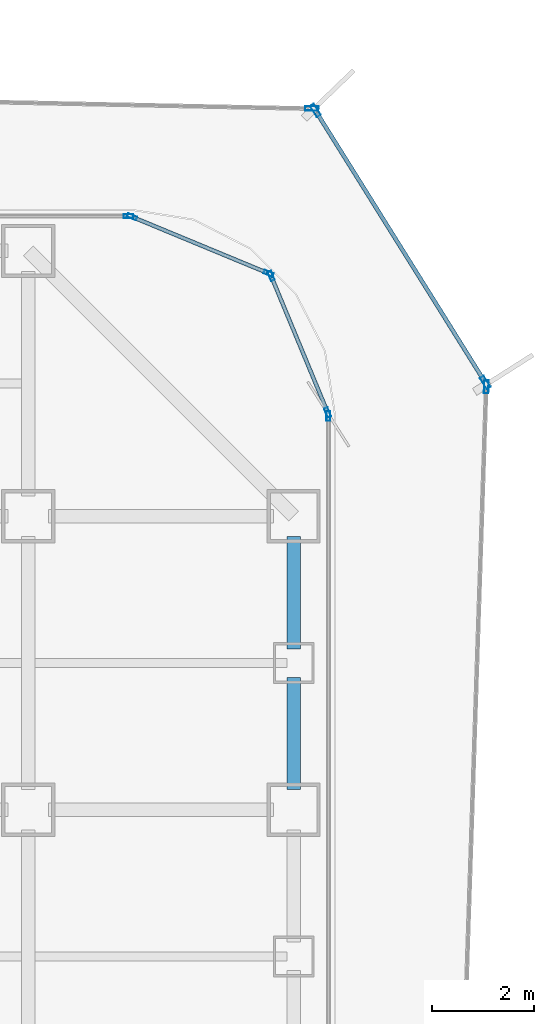
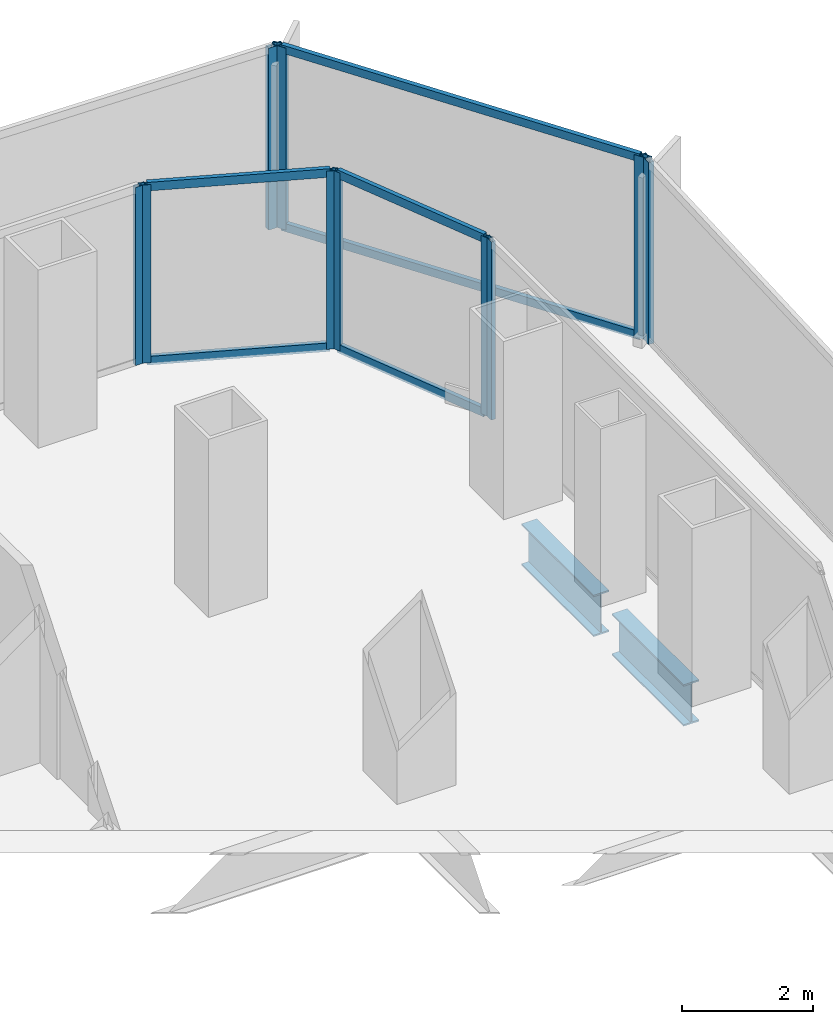
# One storey, part 15 of 21: 16 members, 2 beams, 7 elements without a shape of their own.
"""IFC4 building model written with IfcOpenShell, lengths in metres."""

from ifc_helpers import new_model, si_unit, direction, frame, origin, origin_2d, place, context, subcontext, project, spatial, hollow_rectangle, i_section, extrude, source, transform, mapped, material, layer, layer_set, material_profile, profile_set, type_object, element, aggregate, save


model = new_model("IFC4")

# Units and contexts
model_context = context("Model", 3, precision=1e-05, world=origin(), true_north=direction((0.0, 1.0)))
body_context = subcontext(model_context, "Body", "Model", "MODEL_VIEW")
ifc_project = project(units=[si_unit("LENGTHUNIT", "METRE"), si_unit("AREAUNIT", "SQUARE_METRE"), si_unit("VOLUMEUNIT", "CUBIC_METRE"), si_unit("PLANEANGLEUNIT", "RADIAN"), si_unit("MASSUNIT", "GRAM", prefix="KILO")], contexts=[model_context])

# Site, building, storey
site_placement = place(None, origin())
site = spatial("IfcSite", under=ifc_project, at=site_placement, CompositionType="ELEMENT")
building_placement = place(site_placement, origin())
building = spatial("IfcBuilding", under=site, at=building_placement, Name="Kolveth Station Tower", CompositionType="ELEMENT")
storey_placement = place(building_placement, frame((0.0, 0.0, 47.699951171875)))
storey = spatial("IfcBuildingStorey", under=building, at=storey_placement, Name="L12", CompositionType="ELEMENT", Elevation=47.699951171875)

# Beams
ifc_material_1 = material(Name="Steel S355", Category="steel")
ifc_material_profile_1 = material_profile(ifc_material_1, i_section(OverallWidth=0.26904296875, OverallDepth=0.77490234375, WebThickness=0.01708984375, FlangeThickness=0.0283203125, at=origin_2d()), Name="W760x220")
ifc_profile_set_1 = profile_set([ifc_material_profile_1], Name="Steel S355")
beam_type = type_object("IfcBeamType", Name="Beam_SP1", PredefinedType="SPANDREL", material=ifc_profile_set_1)
shared_shape_1 = source(origin(), body_context, "Body", "SweptSolid", [
    extrude(i_section(OverallWidth=0.26904296875, OverallDepth=0.77490234375, WebThickness=0.01708984375, FlangeThickness=0.0283203125, at=origin_2d()), origin(), (0.0, 0.0, 1.0), 2.2001953125),
])
beam_1_placement = place(storey_placement, frame((46.199951171875, 31.89990234375, -0.66748046875), z_axis=(0.0, 1.0, 0.0), x_axis=(-1.0, 0.0, 0.0)))
element("IfcBeam", 1, at=beam_1_placement, inside=storey, type_object=beam_type, Name="L12 Perimeter Spandrel BM-L12-PE-10", PredefinedType="SPANDREL", context=body_context, shape_type="MappedRepresentation", body=[
    mapped(shared_shape_1, transform((0.0, 0.0, 0.0), x_axis=(1.0, 0.0, 0.0), y_axis=(0.0, 1.0, 0.0), z_axis=(0.0, 0.0, 1.0), scale=1.0)),
])
shared_shape_2 = source(origin(), body_context, "Body", "SweptSolid", [
    extrude(i_section(OverallWidth=0.26904296875, OverallDepth=0.77490234375, WebThickness=0.01708984375, FlangeThickness=0.0283203125, at=origin_2d()), origin(), (0.0, 0.0, 1.0), 2.190185546875),
])
beam_2_placement = place(storey_placement, frame((46.199951171875, 29.14990234375, -0.66748046875), z_axis=(0.0, 1.0, 0.0), x_axis=(-1.0, 0.0, 0.0)))
element("IfcBeam", 2, at=beam_2_placement, inside=storey, type_object=beam_type, Name="L12 Perimeter Spandrel BM-L12-PE-9", PredefinedType="SPANDREL", context=body_context, shape_type="MappedRepresentation", body=[
    mapped(shared_shape_2, transform((0.0, 0.0, 0.0), x_axis=(1.0, 0.0, 0.0), y_axis=(0.0, 1.0, 0.0), z_axis=(0.0, 0.0, 1.0), scale=1.0)),
])

# Curtain wall, member
ifc_material_2 = material(Name="Aluminium 6063-T6 and low-E dark glass", Category="aluminium")
ifc_layer_1 = layer(ifc_material_2, 0.179931640625)
ifc_layer_set_1 = layer_set([ifc_layer_1], Name="Aluminium 6063-T6 and low-E dark glass")
curtain_wall_type_1 = type_object("IfcCurtainWallType", Name="CurtainWall_CW-Z1", PredefinedType="NOTDEFINED", material=ifc_layer_set_1)
curtain_wall_1_placement = place(storey_placement, origin())
curtain_wall_1 = element("IfcCurtainWall", 3, at=curtain_wall_1_placement, inside=storey, type_object=curtain_wall_type_1, Name="L12 Inner Thermal Curtain Wall 3", PredefinedType="NOTDEFINED")
ifc_material_3 = material(Name="Black anodized aluminium 6063-T6", Category="aluminium")
ifc_material_profile_2 = material_profile(ifc_material_3, hollow_rectangle(XDim=0.074951171875, YDim=0.18994140625, WallThickness=0.0048828125, at=origin_2d()), Name="ALU-75x190x5")
ifc_profile_set_2 = profile_set([ifc_material_profile_2], Name="Black anodized aluminium 6063-T6")
member_type_1 = type_object("IfcMemberType", Name="Mullion_ML1", PredefinedType="MULLION", material=ifc_profile_set_2)
shared_shape_3 = source(origin(), body_context, "Body", "SweptSolid", [
    extrude(hollow_rectangle(XDim=0.074951171875, YDim=0.18994140625, WallThickness=0.0048828125, at=origin_2d()), origin(), (0.0, 0.0, 1.0), 3.320068359375),
])
member_1_placement = place(storey_placement, frame((46.8798828125, 36.46240234375, 0.0), z_axis=(0.0, 0.0, 1.0), x_axis=(-1.0, 0.0, 0.0)))
member_1 = element("IfcMember", 4, at=member_1_placement, type_object=member_type_1, Name="CW-Z1 mullion 2", PredefinedType="MULLION", context=body_context, shape_type="MappedRepresentation", body=[
    mapped(shared_shape_3, transform((0.0, 0.0, 0.0), x_axis=(1.0, 0.0, 0.0), y_axis=(0.0, 1.0, 0.0), z_axis=(0.0, 0.0, 1.0), scale=1.0)),
])
aggregate(curtain_wall_1, [member_1])

# Curtain wall, members
curtain_wall_2_placement = place(storey_placement, origin())
curtain_wall_2 = element("IfcCurtainWall", 5, at=curtain_wall_2_placement, inside=storey, type_object=curtain_wall_type_1, Name="L12 Inner Thermal Curtain Wall 4", PredefinedType="NOTDEFINED")
member_2_placement = place(storey_placement, frame((46.86572265625, 36.53466796875, 0.0), z_axis=(0.0, 0.0, 1.0), x_axis=(-0.923883857728, -0.382672990201, 0.0)))
member_2 = element("IfcMember", 6, at=member_2_placement, type_object=member_type_1, Name="CW-Z1 mullion 1", PredefinedType="MULLION", context=body_context, shape_type="MappedRepresentation", body=[
    mapped(shared_shape_3, transform((0.0, 0.0, 0.0), x_axis=(1.0, 0.0, 0.0), y_axis=(0.0, 1.0, 0.0), z_axis=(0.0, 0.0, 1.0), scale=1.0)),
])
member_3_placement = place(storey_placement, frame((45.758056640625, 39.208984375, 0.0), z_axis=(0.0, 0.0, 1.0), x_axis=(-0.923883857728, -0.382672990201, 0.0)))
member_3 = element("IfcMember", 7, at=member_3_placement, type_object=member_type_1, Name="CW-Z1 mullion 2", PredefinedType="MULLION", context=body_context, shape_type="MappedRepresentation", body=[
    mapped(shared_shape_3, transform((0.0, 0.0, 0.0), x_axis=(1.0, 0.0, 0.0), y_axis=(0.0, 1.0, 0.0), z_axis=(0.0, 0.0, 1.0), scale=1.0)),
])

curtain_wall_3_placement = place(storey_placement, origin())
curtain_wall_3 = element("IfcCurtainWall", 8, at=curtain_wall_3_placement, inside=storey, type_object=curtain_wall_type_1, Name="L12 Inner Thermal Curtain Wall 5", PredefinedType="NOTDEFINED")
member_4_placement = place(storey_placement, frame((45.708984375, 39.258056640625, 0.0), z_axis=(0.0, 0.0, 1.0), x_axis=(-0.382672990201, -0.923883857728, 0.0)))
member_4 = element("IfcMember", 9, at=member_4_placement, type_object=member_type_1, Name="CW-Z1 mullion 1", PredefinedType="MULLION", context=body_context, shape_type="MappedRepresentation", body=[
    mapped(shared_shape_3, transform((0.0, 0.0, 0.0), x_axis=(1.0, 0.0, 0.0), y_axis=(0.0, 1.0, 0.0), z_axis=(0.0, 0.0, 1.0), scale=1.0)),
])
member_5_placement = place(storey_placement, frame((43.03466796875, 40.36572265625, 0.0), z_axis=(0.0, 0.0, 1.0), x_axis=(-0.382672990201, -0.923883857728, 0.0)))
member_5 = element("IfcMember", 10, at=member_5_placement, type_object=member_type_1, Name="CW-Z1 mullion 2", PredefinedType="MULLION", context=body_context, shape_type="MappedRepresentation", body=[
    mapped(shared_shape_3, transform((0.0, 0.0, 0.0), x_axis=(1.0, 0.0, 0.0), y_axis=(0.0, 1.0, 0.0), z_axis=(0.0, 0.0, 1.0), scale=1.0)),
])

# Curtain wall, member
curtain_wall_4_placement = place(storey_placement, origin())
curtain_wall_4 = element("IfcCurtainWall", 11, at=curtain_wall_4_placement, inside=storey, type_object=curtain_wall_type_1, Name="L12 Inner Thermal Curtain Wall 6", PredefinedType="NOTDEFINED")
member_6_placement = place(storey_placement, frame((42.96240234375, 40.3798828125, 0.0), z_axis=(0.0, 0.0, 1.0), x_axis=(0.0, -1.0, 0.0)))
member_6 = element("IfcMember", 12, at=member_6_placement, type_object=member_type_1, Name="CW-Z1 mullion 1", PredefinedType="MULLION", context=body_context, shape_type="MappedRepresentation", body=[
    mapped(shared_shape_3, transform((0.0, 0.0, 0.0), x_axis=(1.0, 0.0, 0.0), y_axis=(0.0, 1.0, 0.0), z_axis=(0.0, 0.0, 1.0), scale=1.0)),
])
aggregate(curtain_wall_4, [member_6])

# Member
ifc_material_profile_3 = material_profile(ifc_material_3, hollow_rectangle(XDim=0.074951171875, YDim=0.159912109375, WallThickness=0.0048828125, at=origin_2d()), Name="ALU-75x160x5")
ifc_profile_set_3 = profile_set([ifc_material_profile_3], Name="Black anodized aluminium 6063-T6")
member_type_2 = type_object("IfcMemberType", Name="Transom_TR1", PredefinedType="USERDEFINED", material=ifc_profile_set_3)
shared_shape_4 = source(origin(), body_context, "Body", "SweptSolid", [
    extrude(hollow_rectangle(XDim=0.074951171875, YDim=0.159912109375, WallThickness=0.0048828125, at=origin_2d()), origin(), (0.0, 0.0, 1.0), 2.819580078125),
])
member_7_placement = place(storey_placement, frame((46.851318359375, 36.5693359375, 0.03759765625), z_axis=(-0.382708655389, 0.923869084389, 0.0), x_axis=(-0.923869084389, -0.382708655389, 0.0)))
member_7 = element("IfcMember", 13, at=member_7_placement, type_object=member_type_2, Name="CW-Z1 transom 1.1", ObjectType="TRANSOM", PredefinedType="USERDEFINED", context=body_context, shape_type="MappedRepresentation", body=[
    mapped(shared_shape_4, transform((0.0, 0.0, 0.0), x_axis=(1.0, 0.0, 0.0), y_axis=(0.0, 1.0, 0.0), z_axis=(0.0, 0.0, 1.0), scale=1.0)),
])

member_8_placement = place(storey_placement, frame((46.851318359375, 36.5693359375, 3.282470703125), z_axis=(-0.382708655389, 0.923869084389, 0.0), x_axis=(-0.923869084389, -0.382708655389, 0.0)))
member_8 = element("IfcMember", 14, at=member_8_placement, type_object=member_type_2, Name="CW-Z1 transom 1.2", ObjectType="TRANSOM", PredefinedType="USERDEFINED", context=body_context, shape_type="MappedRepresentation", body=[
    mapped(shared_shape_4, transform((0.0, 0.0, 0.0), x_axis=(1.0, 0.0, 0.0), y_axis=(0.0, 1.0, 0.0), z_axis=(0.0, 0.0, 1.0), scale=1.0)),
])

aggregate(curtain_wall_2, [member_2, member_3, member_7, member_8])

member_9_placement = place(storey_placement, frame((45.67431640625, 39.272216796875, 0.03759765625), z_axis=(-0.923869084389, 0.382708655389, 0.0), x_axis=(-0.382708655389, -0.923869084389, 0.0)))
member_9 = element("IfcMember", 15, at=member_9_placement, type_object=member_type_2, Name="CW-Z1 transom 1.1", ObjectType="TRANSOM", PredefinedType="USERDEFINED", context=body_context, shape_type="MappedRepresentation", body=[
    mapped(shared_shape_4, transform((0.0, 0.0, 0.0), x_axis=(1.0, 0.0, 0.0), y_axis=(0.0, 1.0, 0.0), z_axis=(0.0, 0.0, 1.0), scale=1.0)),
])

member_10_placement = place(storey_placement, frame((45.67431640625, 39.272216796875, 3.282470703125), z_axis=(-0.923869084389, 0.382708655389, 0.0), x_axis=(-0.382708655389, -0.923869084389, 0.0)))
member_10 = element("IfcMember", 16, at=member_10_placement, type_object=member_type_2, Name="CW-Z1 transom 1.2", ObjectType="TRANSOM", PredefinedType="USERDEFINED", context=body_context, shape_type="MappedRepresentation", body=[
    mapped(shared_shape_4, transform((0.0, 0.0, 0.0), x_axis=(1.0, 0.0, 0.0), y_axis=(0.0, 1.0, 0.0), z_axis=(0.0, 0.0, 1.0), scale=1.0)),
])

aggregate(curtain_wall_3, [member_4, member_5, member_9, member_10])

# Curtain wall, member
ifc_material_4 = material(Name="Black anodized aluminium 6063-T6 and dark solar glass", Category="aluminium")
ifc_layer_2 = layer(ifc_material_4, 0.159912109375)
ifc_layer_set_2 = layer_set([ifc_layer_2], Name="Black anodized aluminium 6063-T6 and dark solar glass")
curtain_wall_type_2 = type_object("IfcCurtainWallType", Name="OUTER SKIN CW-OS", PredefinedType="NOTDEFINED", material=ifc_layer_set_2)
curtain_wall_5_placement = place(storey_placement, origin())
curtain_wall_5 = element("IfcCurtainWall", 17, at=curtain_wall_5_placement, inside=storey, type_object=curtain_wall_type_2, Name="L12 Outer Ventilated Skin Curtain Wall 2", PredefinedType="NOTDEFINED")
ifc_material_profile_4 = material_profile(ifc_material_3, hollow_rectangle(XDim=0.090087890625, YDim=0.260009765625, WallThickness=0.0048828125, at=origin_2d()), Name="ALU-90x260x5")
ifc_profile_set_4 = profile_set([ifc_material_profile_4], Name="Black anodized aluminium 6063-T6")
member_type_3 = type_object("IfcMemberType", Name="FIN MULLION ML-OS", PredefinedType="MULLION", material=ifc_profile_set_4)
shared_shape_5 = source(origin(), body_context, "Body", "SweptSolid", [
    extrude(hollow_rectangle(XDim=0.090087890625, YDim=0.260009765625, WallThickness=0.0048828125, at=origin_2d()), origin(), (0.0, 0.0, 1.0), 3.39013671875),
])
member_11_placement = place(storey_placement, frame((49.975830078125, 37.038330078125, 0.0), z_axis=(0.0, 0.0, 1.0), x_axis=(-0.999452442433, 0.033087993514, 0.0)))
member_11 = element("IfcMember", 18, at=member_11_placement, type_object=member_type_3, Name="CW-OS mullion 2", PredefinedType="MULLION", context=body_context, shape_type="MappedRepresentation", body=[
    mapped(shared_shape_5, transform((0.0, 0.0, 0.0), x_axis=(1.0, 0.0, 0.0), y_axis=(0.0, 1.0, 0.0), z_axis=(0.0, 0.0, 1.0), scale=1.0)),
])
aggregate(curtain_wall_5, [member_11])

# Curtain wall, members
curtain_wall_6_placement = place(storey_placement, origin())
curtain_wall_6 = element("IfcCurtainWall", 19, at=curtain_wall_6_placement, inside=storey, type_object=curtain_wall_type_2, Name="L12 Outer Ventilated Skin Curtain Wall 3", PredefinedType="NOTDEFINED")
member_12_placement = place(storey_placement, frame((49.95361328125, 37.12158203125, 0.0), z_axis=(0.0, 0.0, 1.0), x_axis=(-0.848191303191, -0.529690016133, 0.0)))
member_12 = element("IfcMember", 20, at=member_12_placement, type_object=member_type_3, Name="CW-OS mullion 1", PredefinedType="MULLION", context=body_context, shape_type="MappedRepresentation", body=[
    mapped(shared_shape_5, transform((0.0, 0.0, 0.0), x_axis=(1.0, 0.0, 0.0), y_axis=(0.0, 1.0, 0.0), z_axis=(0.0, 0.0, 1.0), scale=1.0)),
])
member_13_placement = place(storey_placement, frame((46.62548828125, 42.45068359375, 0.0), z_axis=(0.0, 0.0, 1.0), x_axis=(-0.848191303191, -0.529690016133, 0.0)))
member_13 = element("IfcMember", 21, at=member_13_placement, type_object=member_type_3, Name="CW-OS mullion 2", PredefinedType="MULLION", context=body_context, shape_type="MappedRepresentation", body=[
    mapped(shared_shape_5, transform((0.0, 0.0, 0.0), x_axis=(1.0, 0.0, 0.0), y_axis=(0.0, 1.0, 0.0), z_axis=(0.0, 0.0, 1.0), scale=1.0)),
])

# Curtain wall, member
curtain_wall_7_placement = place(storey_placement, origin())
curtain_wall_7 = element("IfcCurtainWall", 22, at=curtain_wall_7_placement, inside=storey, type_object=curtain_wall_type_2, Name="L12 Outer Ventilated Skin Curtain Wall 4", PredefinedType="NOTDEFINED")
member_14_placement = place(storey_placement, frame((46.556640625, 42.48974609375, 0.0), z_axis=(0.0, 0.0, 1.0), x_axis=(-0.020672442697, -0.999786302223, 0.0)))
member_14 = element("IfcMember", 23, at=member_14_placement, type_object=member_type_3, Name="CW-OS mullion 1", PredefinedType="MULLION", context=body_context, shape_type="MappedRepresentation", body=[
    mapped(shared_shape_5, transform((0.0, 0.0, 0.0), x_axis=(1.0, 0.0, 0.0), y_axis=(0.0, 1.0, 0.0), z_axis=(0.0, 0.0, 1.0), scale=1.0)),
])
aggregate(curtain_wall_7, [member_14])

# Member
ifc_material_profile_5 = material_profile(ifc_material_3, hollow_rectangle(XDim=0.080078125, YDim=0.14990234375, WallThickness=0.0048828125, at=origin_2d()), Name="ALU-80x150x5")
ifc_profile_set_5 = profile_set([ifc_material_profile_5], Name="Black anodized aluminium 6063-T6")
member_type_4 = type_object("IfcMemberType", Name="Transom_TR-OS", PredefinedType="USERDEFINED", material=ifc_profile_set_5)
shared_shape_6 = source(origin(), body_context, "Body", "SweptSolid", [
    extrude(hollow_rectangle(XDim=0.080078125, YDim=0.14990234375, WallThickness=0.0048828125, at=origin_2d()), origin(), (0.0, 0.0, 1.0), 6.193115234375),
])
member_15_placement = place(storey_placement, frame((49.9296875, 37.15966796875, 0.0400390625), z_axis=(-0.529672894861, 0.848201995075, 0.0), x_axis=(-0.848201995075, -0.529672894861, 0.0)))
member_15 = element("IfcMember", 24, at=member_15_placement, type_object=member_type_4, Name="CW-OS transom 1.1", ObjectType="TRANSOM", PredefinedType="USERDEFINED", context=body_context, shape_type="MappedRepresentation", body=[
    mapped(shared_shape_6, transform((0.0, 0.0, 0.0), x_axis=(1.0, 0.0, 0.0), y_axis=(0.0, 1.0, 0.0), z_axis=(0.0, 0.0, 1.0), scale=1.0)),
])

member_16_placement = place(storey_placement, frame((49.9296875, 37.15966796875, 3.35009765625), z_axis=(-0.529672894861, 0.848201995075, 0.0), x_axis=(-0.848201995075, -0.529672894861, 0.0)))
member_16 = element("IfcMember", 25, at=member_16_placement, type_object=member_type_4, Name="CW-OS transom 1.2", ObjectType="TRANSOM", PredefinedType="USERDEFINED", context=body_context, shape_type="MappedRepresentation", body=[
    mapped(shared_shape_6, transform((0.0, 0.0, 0.0), x_axis=(1.0, 0.0, 0.0), y_axis=(0.0, 1.0, 0.0), z_axis=(0.0, 0.0, 1.0), scale=1.0)),
])

aggregate(curtain_wall_6, [member_12, member_13, member_15, member_16])

save(model, "model.ifc")
